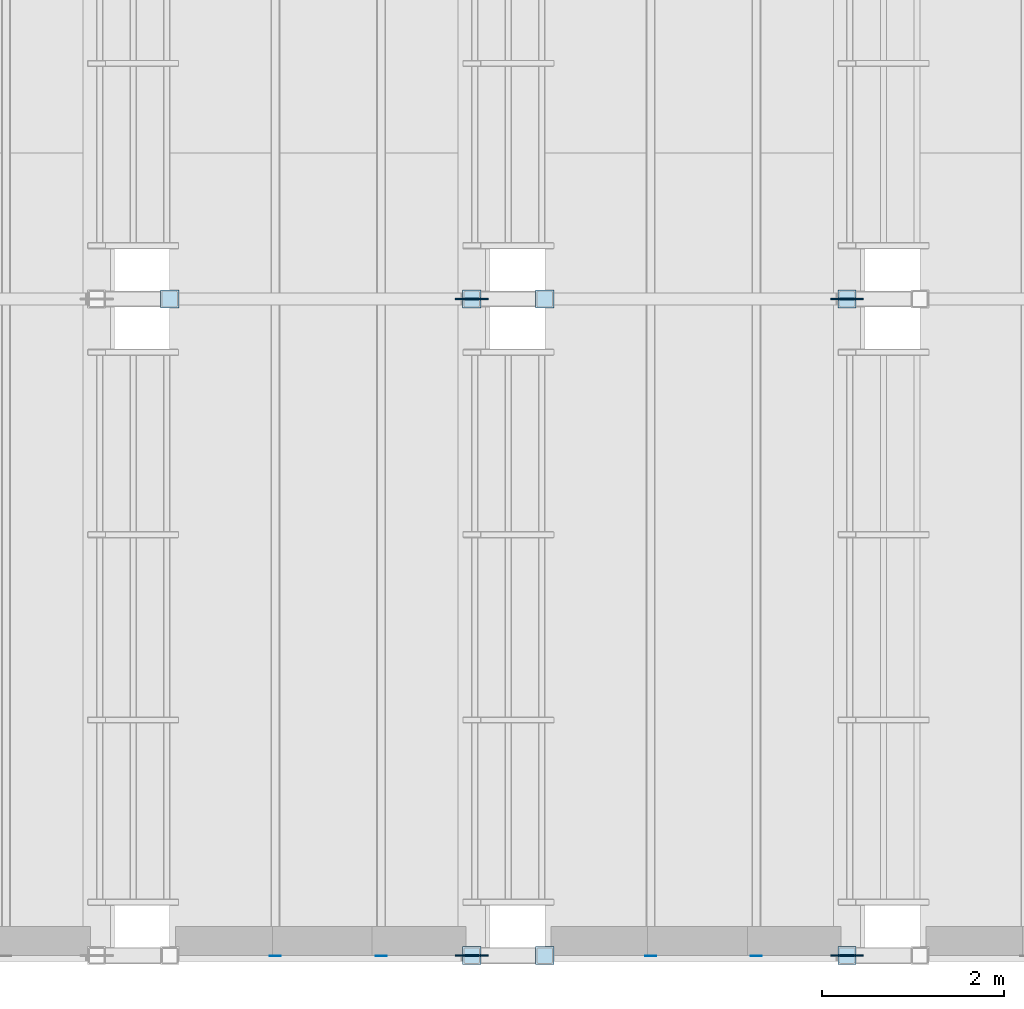
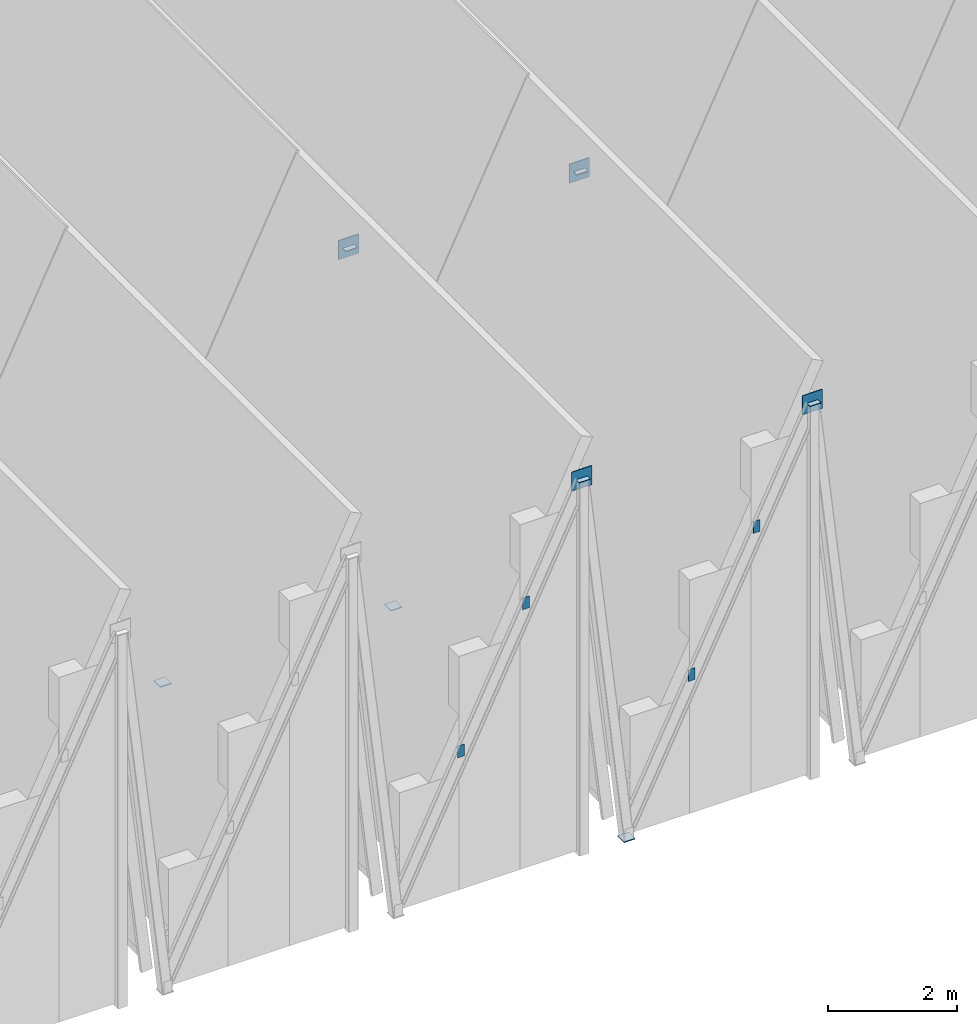
# One storey, part 19 of 28: 15 plates.
"""IFC4 building model written with IfcOpenShell, lengths in metres."""

from ifc_helpers import new_model, si_unit, direction, frame, origin, origin_2d, place, context, subcontext, project, spatial, rectangle, extrude, material, layer, layer_set, type_object, element, save


model = new_model("IFC4")

# Units and contexts
model_context = context("Model", 3, precision=1e-05, world=origin(), true_north=direction((0.0, 1.0)))
body_context = subcontext(model_context, "Body", "Model", "MODEL_VIEW")
ifc_project = project(units=[si_unit("LENGTHUNIT", "METRE"), si_unit("AREAUNIT", "SQUARE_METRE"), si_unit("VOLUMEUNIT", "CUBIC_METRE"), si_unit("PLANEANGLEUNIT", "RADIAN"), si_unit("MASSUNIT", "GRAM", prefix="KILO")], contexts=[model_context])

# Site, building, storey
site_placement = place(None, origin())
site = spatial("IfcSite", under=ifc_project, at=site_placement, CompositionType="ELEMENT")
building_placement = place(site_placement, origin())
building = spatial("IfcBuilding", under=site, at=building_placement, Name="Bramveld Media Centre", CompositionType="ELEMENT")
storey_placement = place(building_placement, frame((0.0, 0.0, 33.89990234375)))
storey = spatial("IfcBuildingStorey", under=building, at=storey_placement, Name="ROOF", CompositionType="ELEMENT", Elevation=33.89990234375)

# Plates
ifc_material_1 = material(Name="Steel S355J2", Category="steel")
ifc_layer_1 = layer(ifc_material_1, 0.010009765625)
ifc_layer_set_1 = layer_set([ifc_layer_1], Name="Steel S355J2")
plate_type_1 = type_object("IfcPlateType", Name="PLT-CAP-10", PredefinedType="USERDEFINED", material=ifc_layer_set_1)
for number, where, z_axis, x_axis, name in (
    (1, (140.588623046875, 83.2001953125, 2.61083984375), (0.0, -1.0, 0.0), (1.0, 0.0, 0.0), "Hollow section end cap plate CAP-CPURL-B03-35-S"),
    (2, (141.74853515625, 83.2001953125, 4.997802734375), (0.0, -1.0, 0.0), (1.0, 0.0, 0.0), "Hollow section end cap plate CAP-CPURL-B03-70-S"),
    (3, (144.702880859375, 83.2001953125, 2.61083984375), (0.0, -1.0, 0.0), (1.0, 0.0, 0.0), "Hollow section end cap plate CAP-CPURL-B04-35-S"),
    (4, (145.86279296875, 83.2001953125, 4.997802734375), (0.0, -1.0, 0.0), (1.0, 0.0, 0.0), "Hollow section end cap plate CAP-CPURL-B04-70-S"),
):
    element("IfcPlate", number, at=place(storey_placement, frame(where, z_axis=z_axis, x_axis=x_axis)), inside=storey, type_object=plate_type_1, Name=name, ObjectType="CAP PLATE", PredefinedType="USERDEFINED", context=body_context, shape_type="SweptSolid", body=[
        extrude(rectangle(XDim=0.1201171875, YDim=0.219970703125, at=origin_2d()), origin(), (0.0, 0.0, 1.0), 0.010009765625),
    ])
ifc_material_2 = material(Name="Steel S355J2", Category="steel")
ifc_layer_2 = layer(ifc_material_2, 0.013916015625)
ifc_layer_set_2 = layer_set([ifc_layer_2], Name="Steel S355J2")
plate_type_2 = type_object("IfcPlateType", Name="PLT-CAP-14", PredefinedType="USERDEFINED", material=ifc_layer_set_2)
for number, where, z_axis, x_axis, name in (
    (5, (139.429443359375, 90.39990234375, -0.0498046875), (0.0, 0.0, -1.0), (1.0, 0.0, 0.0), "Hollow section end cap plate CAP-CRN-FR-B02-F2-R"),
    (6, (142.7421875, 83.199951171875, 6.99462890625), (0.0, 0.0, 1.0), (1.0, 0.0, 0.0), "Hollow section end cap plate CAP-CRN-FR-B03-F1"),
    (7, (143.543701171875, 83.199951171875, -0.0498046875), (0.0, 0.0, -1.0), (1.0, 0.0, 0.0), "Hollow section end cap plate CAP-CRN-FR-B03-F1-R"),
    (8, (142.7421875, 90.39990234375, 6.99462890625), (0.0, 0.0, 1.0), (1.0, 0.0, 0.0), "Hollow section end cap plate CAP-CRN-FR-B03-F2"),
    (9, (143.543701171875, 90.39990234375, -0.0498046875), (0.0, 0.0, -1.0), (1.0, 0.0, 0.0), "Hollow section end cap plate CAP-CRN-FR-B03-F2-R"),
    (10, (146.8564453125, 83.199951171875, 6.99462890625), (0.0, 0.0, 1.0), (1.0, 0.0, 0.0), "Hollow section end cap plate CAP-CRN-FR-B04-F1"),
    (11, (146.8564453125, 90.39990234375, 6.99462890625), (0.0, 0.0, 1.0), (1.0, 0.0, 0.0), "Hollow section end cap plate CAP-CRN-FR-B04-F2"),
):
    element("IfcPlate", number, at=place(storey_placement, frame(where, z_axis=z_axis, x_axis=x_axis)), inside=storey, type_object=plate_type_2, Name=name, ObjectType="CAP PLATE", PredefinedType="USERDEFINED", context=body_context, shape_type="SweptSolid", body=[
        extrude(rectangle(XDim=0.199951171875, YDim=0.199951171875, at=origin_2d()), origin(), (0.0, 0.0, 1.0), 0.013916015625),
    ])
ifc_material_3 = material(Name="Steel S355J2", Category="steel")
ifc_layer_3 = layer(ifc_material_3, 0.01611328125)
ifc_layer_set_3 = layer_set([ifc_layer_3], Name="Steel S355J2")
plate_type_3 = type_object("IfcPlateType", Name="PLT-GUSSET-CRN16", PredefinedType="USERDEFINED", material=ifc_layer_set_3)
for number, where, z_axis, x_axis, name in (
    (12, (142.742919921875, 83.199951171875, 6.81494140625), (0.0, 0.0, 1.0), (1.0, 0.0, 0.0), "CRN-FR-B03-F1 ridge gusset plate"),
    (13, (142.742919921875, 90.39990234375, 6.81494140625), (0.0, 0.0, 1.0), (1.0, 0.0, 0.0), "CRN-FR-B03-F2 ridge gusset plate"),
    (14, (146.857177734375, 83.199951171875, 6.81494140625), (0.0, 0.0, 1.0), (1.0, 0.0, 0.0), "CRN-FR-B04-F1 ridge gusset plate"),
    (15, (146.857177734375, 90.39990234375, 6.81494140625), (0.0, 0.0, 1.0), (1.0, 0.0, 0.0), "CRN-FR-B04-F2 ridge gusset plate"),
):
    element("IfcPlate", number, at=place(storey_placement, frame(where, z_axis=z_axis, x_axis=x_axis)), inside=storey, type_object=plate_type_3, Name=name, ObjectType="GUSSET PLATE", PredefinedType="USERDEFINED", context=body_context, shape_type="SweptSolid", body=[
        extrude(rectangle(XDim=0.360107421875, YDim=0.01611328125, at=origin_2d()), origin(), (0.0, 0.0, 1.0), 0.360107421875),
    ])

save(model, "model.ifc")
